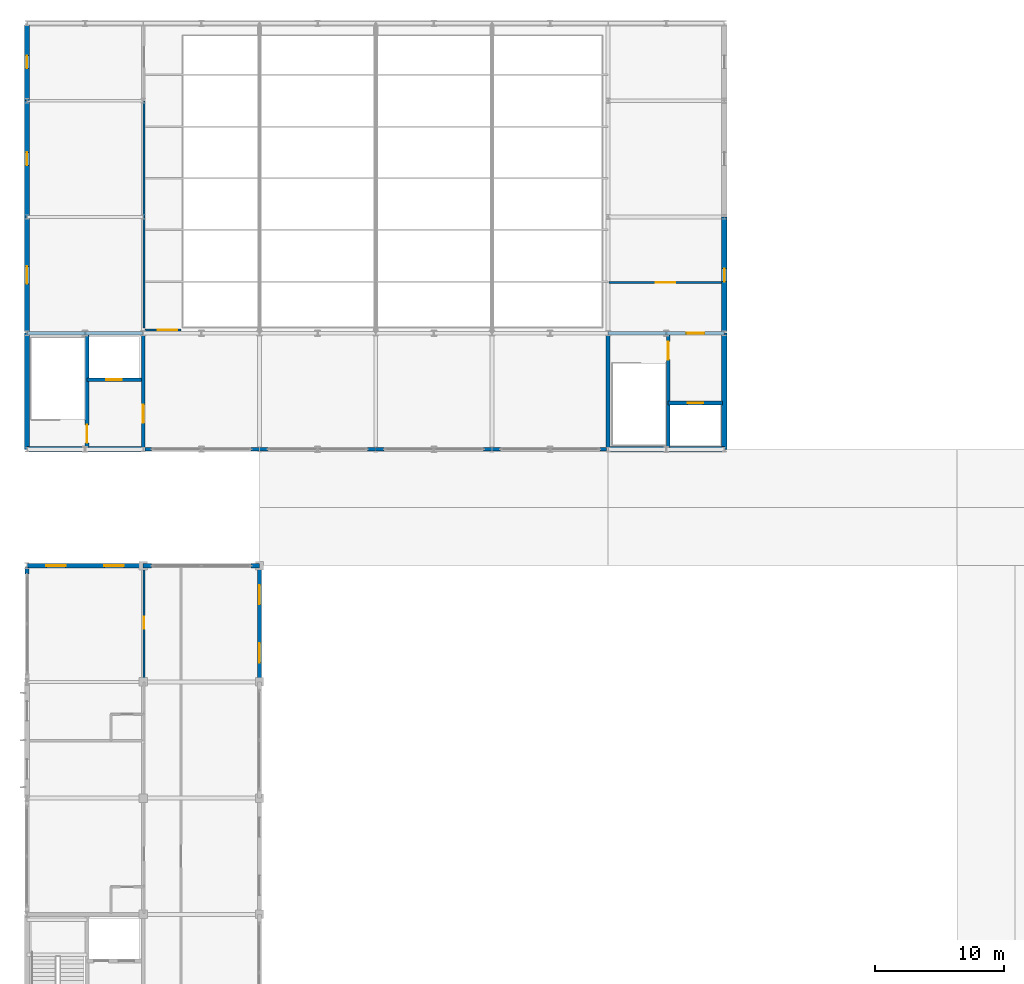
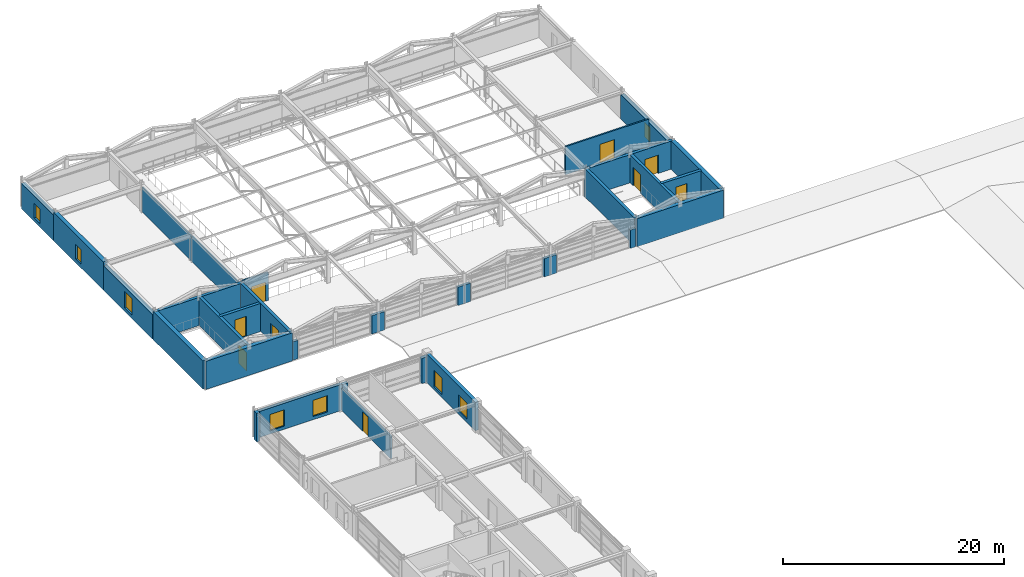
# One storey, part 76 of 91: 34 walls, 9 doors, 8 windows, 17 openings.
"""IFC4 building model written with IfcOpenShell, lengths in metres."""

from ifc_helpers import new_model, si_unit, direction, frame, frame_2d, origin, place, context, subcontext, project, spatial, rectangle, extrude, material, layer, layer_set, type_object, element, fill, save


model = new_model("IFC4")

# Units and contexts
model_context = context("Model", 3, precision=1e-05, world=origin(), true_north=direction((0.0, 1.0)))
body_context = subcontext(model_context, "Body", "Model", "MODEL_VIEW")
ifc_project = project(units=[si_unit("LENGTHUNIT", "METRE"), si_unit("AREAUNIT", "SQUARE_METRE"), si_unit("VOLUMEUNIT", "CUBIC_METRE"), si_unit("PLANEANGLEUNIT", "RADIAN"), si_unit("MASSUNIT", "GRAM", prefix="KILO")], contexts=[model_context])

# Site, building, storey
site_placement = place(None, origin())
site = spatial("IfcSite", under=ifc_project, at=site_placement, CompositionType="ELEMENT")
building_placement = place(site_placement, origin())
building = spatial("IfcBuilding", under=site, at=building_placement, Name="Palais des Congres Ocreval", CompositionType="ELEMENT")
storey_placement = place(building_placement, frame((0.0, 0.0, 8.159912109375)))
storey = spatial("IfcBuildingStorey", under=building, at=storey_placement, Name="L02", CompositionType="ELEMENT", Elevation=8.159912109375)

# Walls
ifc_material_1 = material(Name="Concrete C40/50", Category="concrete")
ifc_layer_1 = layer(ifc_material_1, 0.419921875)
ifc_layer_set_1 = layer_set([ifc_layer_1], Name="Congress Stone Facade Wall 420 Concrete C40/50")
wall_type_1 = type_object("IfcWallType", Name="Congress Stone Facade Wall 420 Concrete C40/50", PredefinedType="SOLIDWALL", material=ifc_layer_set_1)
for number, where, z_axis, x_axis, name in (
    (1, (54.0, 81.0, 0.0), (0.0, 0.0, 1.0), (-1.0, 0.0, 0.0), "Core Perimeter Shear Wall EW02 SC06 L02"),
    (2, (9.0, 81.0, 0.0), (0.0, 0.0, 1.0), (-1.0, 0.0, 0.0), "Core Perimeter Shear Wall EW02 SC05 L02"),
    (3, (0.0, 81.0, 0.0), (0.0, 0.0, 1.0), (0.0, 1.0, 0.0), "Core Perimeter Shear Wall EW02 SC05 L02"),
):
    element("IfcWall", number, at=place(storey_placement, frame(where, z_axis=z_axis, x_axis=x_axis)), inside=storey, type_object=wall_type_1, Name=name, PredefinedType="SOLIDWALL", context=body_context, shape_type="SweptSolid", body=[
        extrude(rectangle(XDim=9.0, YDim=0.419921875, at=frame_2d((4.5, 0.0))), origin(), (0.0, 0.0, 1.0), 3.110107421875),
    ])

# Wall, opening, window
wall_1_placement = place(storey_placement, frame((0.0, 90.1298828125, 0.0), z_axis=(0.0, 0.0, 1.0), x_axis=(0.0, 1.0, 0.0)))
wall_1 = element("IfcWall", 4, at=wall_1_placement, inside=storey, type_object=wall_type_1, Name="Exterior Wall EW02 L02", PredefinedType="SOLIDWALL", context=body_context, shape_type="SweptSolid", body=[
    extrude(rectangle(XDim=8.8701171875, YDim=0.419921875, at=frame_2d((4.43505859375, 0.0))), origin(), (0.0, 0.0, 1.0), 2.7001953125),
])
opening_1_placement = place(wall_1_placement, frame((3.695068359375, 0.0, 0.39990234375)))
opening_1 = element("IfcOpeningElement", 5, at=opening_1_placement, cuts=wall_1, Name="Opening WN15", PredefinedType="OPENING", context=body_context, shape_type="SweptSolid", body=[
    extrude(rectangle(XDim=1.35009765625, YDim=1.800048828125, at=frame_2d((0.675048828125, 0.89990234375))), frame((0.0, 0.219970703125, 0.0), z_axis=(0.0, -1.0, 0.0), x_axis=(1.0, 0.0, 0.0)), (0.0, 0.0, 1.0), 0.43994140625),
])
ifc_material_2 = material(Name="Anodized bronze aluminium and low-E glass", Category="glass")
window_type_1 = type_object("IfcWindowType", Name="Breakout Cloister Window 1350x1800", PartitioningType="SINGLE_PANEL", PredefinedType="WINDOW", material=ifc_material_2)
window_1_placement = place(opening_1_placement, origin())
window_1 = element("IfcWindow", 6, at=window_1_placement, inside=storey, type_object=window_type_1, Name="Facade Window WN15", OverallHeight=1.800048828125, OverallWidth=1.35009765625, PartitioningType="SINGLE_PANEL", PredefinedType="WINDOW", context=body_context, shape_type="SweptSolid", body=[
    extrude(rectangle(XDim=1.35009765625, YDim=1.800048828125, at=frame_2d((0.675048828125, 0.89990234375))), frame((0.0, 0.030029296875, 0.0), z_axis=(0.0, -1.0, 0.0), x_axis=(1.0, 0.0, 0.0)), (0.0, 0.0, 1.0), 0.06005859375),
])
fill(opening_1, window_1)

wall_2_placement = place(storey_placement, frame((0.0, 99.0, 0.0), z_axis=(0.0, 0.0, 1.0), x_axis=(0.0, 1.0, 0.0)))
wall_2 = element("IfcWall", 7, at=wall_2_placement, inside=storey, type_object=wall_type_1, Name="Exterior Wall EW02 L02", PredefinedType="SOLIDWALL", context=body_context, shape_type="SweptSolid", body=[
    extrude(rectangle(XDim=9.0, YDim=0.419921875, at=frame_2d((4.5, 0.0))), origin(), (0.0, 0.0, 1.0), 3.110107421875),
])
opening_2_placement = place(wall_2_placement, frame((4.0, 0.0, 0.39990234375)))
opening_2 = element("IfcOpeningElement", 8, at=opening_2_placement, cuts=wall_2, Name="Opening WN18", PredefinedType="OPENING", context=body_context, shape_type="SweptSolid", body=[
    extrude(rectangle(XDim=1.0, YDim=1.60009765625, at=frame_2d((0.5, 0.800048828125))), frame((0.0, 0.219970703125, 0.0), z_axis=(0.0, -1.0, 0.0), x_axis=(1.0, 0.0, 0.0)), (0.0, 0.0, 1.0), 0.43994140625),
])
window_type_2 = type_object("IfcWindowType", Name="Stair and Lobby Daylight Window 1000x1600", PartitioningType="SINGLE_PANEL", PredefinedType="WINDOW", material=ifc_material_2)
window_2_placement = place(opening_2_placement, origin())
window_2 = element("IfcWindow", 9, at=window_2_placement, inside=storey, type_object=window_type_2, Name="Facade Window WN18", OverallHeight=1.60009765625, OverallWidth=1.0, PartitioningType="SINGLE_PANEL", PredefinedType="WINDOW", context=body_context, shape_type="SweptSolid", body=[
    extrude(rectangle(XDim=1.0, YDim=1.60009765625, at=frame_2d((0.5, 0.800048828125))), frame((0.0, 0.030029296875, 0.0), z_axis=(0.0, -1.0, 0.0), x_axis=(1.0, 0.0, 0.0)), (0.0, 0.0, 1.0), 0.06005859375),
])
fill(opening_2, window_2)

wall_3_placement = place(storey_placement, frame((0.0, 108.0, 0.0), z_axis=(0.0, 0.0, 1.0), x_axis=(0.0, 1.0, 0.0)))
wall_3 = element("IfcWall", 10, at=wall_3_placement, inside=storey, type_object=wall_type_1, Name="Exterior Wall EW02 L02", PredefinedType="SOLIDWALL", context=body_context, shape_type="SweptSolid", body=[
    extrude(rectangle(XDim=5.844970703125, YDim=0.419921875, at=frame_2d((2.92236328125, 0.0))), origin(), (0.0, 0.0, 1.0), 2.800048828125),
])
opening_3_placement = place(wall_3_placement, frame((2.5, 0.0, 0.39990234375)))
opening_3 = element("IfcOpeningElement", 11, at=opening_3_placement, cuts=wall_3, Name="Opening WN18", PredefinedType="OPENING", context=body_context, shape_type="SweptSolid", body=[
    extrude(rectangle(XDim=1.0, YDim=1.60009765625, at=frame_2d((0.5, 0.800048828125))), frame((0.0, 0.219970703125, 0.0), z_axis=(0.0, -1.0, 0.0), x_axis=(1.0, 0.0, 0.0)), (0.0, 0.0, 1.0), 0.43994140625),
])
window_3_placement = place(opening_3_placement, origin())
window_3 = element("IfcWindow", 12, at=window_3_placement, inside=storey, type_object=window_type_2, Name="Facade Window WN18", OverallHeight=1.60009765625, OverallWidth=1.0, PartitioningType="SINGLE_PANEL", PredefinedType="WINDOW", context=body_context, shape_type="SweptSolid", body=[
    extrude(rectangle(XDim=1.0, YDim=1.60009765625, at=frame_2d((0.5, 0.800048828125))), frame((0.0, 0.030029296875, 0.0), z_axis=(0.0, -1.0, 0.0), x_axis=(1.0, 0.0, 0.0)), (0.0, 0.0, 1.0), 0.06005859375),
])
fill(opening_3, window_3)

wall_4_placement = place(storey_placement, frame((54.0, 99.0, 0.0), z_axis=(0.0, 0.0, 1.0), x_axis=(0.0, -1.0, 0.0)))
wall_4 = element("IfcWall", 13, at=wall_4_placement, inside=storey, type_object=wall_type_1, Name="Exterior Wall EW02 L02", PredefinedType="SOLIDWALL", context=body_context, shape_type="SweptSolid", body=[
    extrude(rectangle(XDim=8.8701171875, YDim=0.419921875, at=frame_2d((4.43505859375, 0.0))), origin(), (0.0, 0.0, 1.0), 2.7001953125),
])
opening_4_placement = place(wall_4_placement, frame((4.0, 0.0, 0.39990234375)))
opening_4 = element("IfcOpeningElement", 14, at=opening_4_placement, cuts=wall_4, Name="Opening WN18", PredefinedType="OPENING", context=body_context, shape_type="SweptSolid", body=[
    extrude(rectangle(XDim=1.0, YDim=1.60009765625, at=frame_2d((0.5, 0.800048828125))), frame((0.0, 0.219970703125, 0.0), z_axis=(0.0, -1.0, 0.0), x_axis=(1.0, 0.0, 0.0)), (0.0, 0.0, 1.0), 0.43994140625),
])
window_4_placement = place(opening_4_placement, origin())
window_4 = element("IfcWindow", 15, at=window_4_placement, inside=storey, type_object=window_type_2, Name="Facade Window WN18", OverallHeight=1.60009765625, OverallWidth=1.0, PartitioningType="SINGLE_PANEL", PredefinedType="WINDOW", context=body_context, shape_type="SweptSolid", body=[
    extrude(rectangle(XDim=1.0, YDim=1.60009765625, at=frame_2d((0.5, 0.800048828125))), frame((0.0, 0.030029296875, 0.0), z_axis=(0.0, -1.0, 0.0), x_axis=(1.0, 0.0, 0.0)), (0.0, 0.0, 1.0), 0.06005859375),
])
fill(opening_4, window_4)

# Wall
wall_5_placement = place(storey_placement, frame((54.0, 90.0, 0.0), z_axis=(0.0, 0.0, 1.0), x_axis=(0.0, -1.0, 0.0)))
element("IfcWall", 16, at=wall_5_placement, inside=storey, type_object=wall_type_1, Name="Core Perimeter Shear Wall EW02 SC06 L02", PredefinedType="SOLIDWALL", context=body_context, shape_type="SweptSolid", body=[
    extrude(rectangle(XDim=9.0, YDim=0.419921875, at=frame_2d((4.5, 0.0))), origin(), (0.0, 0.0, 1.0), 3.110107421875),
])

# Wall, opening, door
ifc_layer_2 = layer(ifc_material_1, 0.300048828125)
ifc_layer_set_2 = layer_set([ifc_layer_2], Name="Core Shear Wall 300 Concrete C40/50")
wall_type_2 = type_object("IfcWallType", Name="Core Shear Wall 300 Concrete C40/50", PredefinedType="SHEAR", material=ifc_layer_set_2)
wall_6_placement = place(storey_placement, frame((9.0, 81.0, 0.0), z_axis=(0.0, 0.0, 1.0), x_axis=(0.0, 1.0, 0.0)))
wall_6 = element("IfcWall", 17, at=wall_6_placement, inside=storey, type_object=wall_type_2, Name="Core Shear Wall SC05 L02 E", PredefinedType="SHEAR", context=body_context, shape_type="SweptSolid", body=[
    extrude(rectangle(XDim=9.0, YDim=0.300048828125, at=frame_2d((4.5, 0.0))), origin(), (0.0, 0.0, 1.0), 3.110107421875),
])
opening_5_placement = place(wall_6_placement, frame((2.050048828125, 0.0, 0.0)))
opening_5 = element("IfcOpeningElement", 18, at=opening_5_placement, cuts=wall_6, Name="Opening D03", PredefinedType="OPENING", context=body_context, shape_type="SweptSolid", body=[
    extrude(rectangle(XDim=1.39990234375, YDim=2.02001953125, at=frame_2d((0.699951171875, 1.010009765625))), frame((0.0, 0.159912109375, 0.0), z_axis=(0.0, -1.0, 0.0), x_axis=(1.0, 0.0, 0.0)), (0.0, 0.0, 1.0), 0.320068359375),
])
ifc_material_3 = material(Name="Painted fire-rated steel", Category="steel")
door_type_1 = type_object("IfcDoorType", Name="Core Lobby Rated Door 1400x2020", OperationType="NOTDEFINED", PredefinedType="DOOR", material=ifc_material_3)
door_1_placement = place(opening_5_placement, origin())
door_1 = element("IfcDoor", 19, at=door_1_placement, inside=storey, type_object=door_type_1, Name="Lobby Entrance Door SC05 L02", OperationType="DOUBLE_DOOR_SINGLE_SWING", OverallHeight=2.02001953125, OverallWidth=1.39990234375, PredefinedType="DOOR", context=body_context, shape_type="SweptSolid", body=[
    extrude(rectangle(XDim=1.39990234375, YDim=2.02001953125, at=frame_2d((0.699951171875, 1.010009765625))), frame((0.0, 0.02490234375, 0.0), z_axis=(0.0, -1.0, 0.0), x_axis=(1.0, 0.0, 0.0)), (0.0, 0.0, 1.0), 0.050048828125),
])
fill(opening_5, door_1)

# Wall
wall_7_placement = place(storey_placement, frame((0.0, 90.0, 0.0), z_axis=(0.0, 0.0, 1.0), x_axis=(1.0, 0.0, 0.0)))
element("IfcWall", 20, at=wall_7_placement, inside=storey, type_object=wall_type_2, Name="Core Shear Wall SC05 L02 N", PredefinedType="SHEAR", context=body_context, shape_type="SweptSolid", body=[
    extrude(rectangle(XDim=9.0, YDim=0.300048828125, at=frame_2d((4.5, 0.0))), origin(), (0.0, 0.0, 1.0), 3.110107421875),
])

# Wall, opening, door
wall_8_placement = place(storey_placement, frame((4.64990234375, 81.14990234375, 0.0), z_axis=(0.0, 0.0, 1.0), x_axis=(0.0, 1.0, 0.0)))
wall_8 = element("IfcWall", 21, at=wall_8_placement, inside=storey, type_object=wall_type_2, Name="Core Spine Shear Wall SC05 L02", PredefinedType="SHEAR", context=body_context, shape_type="SweptSolid", body=[
    extrude(rectangle(XDim=8.7001953125, YDim=0.300048828125, at=frame_2d((4.35009765625, 0.0))), origin(), (0.0, 0.0, 1.0), 3.110107421875),
])
opening_6_placement = place(wall_8_placement, frame((0.35009765625, 0.0, 0.0)))
opening_6 = element("IfcOpeningElement", 22, at=opening_6_placement, cuts=wall_8, Name="Opening D03", PredefinedType="OPENING", context=body_context, shape_type="SweptSolid", body=[
    extrude(rectangle(XDim=1.39990234375, YDim=2.02001953125, at=frame_2d((0.699951171875, 1.010009765625))), frame((0.0, 0.159912109375, 0.0), z_axis=(0.0, -1.0, 0.0), x_axis=(1.0, 0.0, 0.0)), (0.0, 0.0, 1.0), 0.320068359375),
])
door_2_placement = place(opening_6_placement, origin())
door_2 = element("IfcDoor", 23, at=door_2_placement, inside=storey, type_object=door_type_1, Name="Protected Exit Stair Door ST05 L02", OperationType="SINGLE_SWING_LEFT", OverallHeight=2.02001953125, OverallWidth=1.39990234375, PredefinedType="DOOR", context=body_context, shape_type="SweptSolid", body=[
    extrude(rectangle(XDim=1.39990234375, YDim=2.02001953125, at=frame_2d((0.699951171875, 1.010009765625))), frame((0.0, 0.02490234375, 0.0), z_axis=(0.0, -1.0, 0.0), x_axis=(1.0, 0.0, 0.0)), (0.0, 0.0, 1.0), 0.050048828125),
])
fill(opening_6, door_2)

wall_9_placement = place(storey_placement, frame((4.64990234375, 86.39990234375, 0.0), z_axis=(0.0, 0.0, 1.0), x_axis=(1.0, 0.0, 0.0)))
wall_9 = element("IfcWall", 24, at=wall_9_placement, inside=storey, type_object=wall_type_2, Name="Lift Shaft Front Wall SC05 L02", PredefinedType="SHEAR", context=body_context, shape_type="SweptSolid", body=[
    extrude(rectangle(XDim=4.2001953125, YDim=0.300048828125, at=frame_2d((2.10009765625, 0.0))), origin(), (0.0, 0.0, 1.0), 3.110107421875),
])
opening_7_placement = place(wall_9_placement, frame((1.5, 0.0, 0.0)))
opening_7 = element("IfcOpeningElement", 25, at=opening_7_placement, cuts=wall_9, Name="Opening LD02", PredefinedType="OPENING", context=body_context, shape_type="SweptSolid", body=[
    extrude(rectangle(XDim=1.199951171875, YDim=2.199951171875, at=frame_2d((0.60009765625, 1.10009765625))), frame((0.0, 0.159912109375, 0.0), z_axis=(0.0, -1.0, 0.0), x_axis=(1.0, 0.0, 0.0)), (0.0, 0.0, 1.0), 0.320068359375),
])
ifc_material_4 = material(Name="Anodized bronze steel", Category="steel")
door_type_2 = type_object("IfcDoorType", Name="Passenger and Service Lift Sliding Door 1200x2200", OperationType="NOTDEFINED", PredefinedType="DOOR", material=ifc_material_4)
door_3_placement = place(opening_7_placement, origin())
door_3 = element("IfcDoor", 26, at=door_3_placement, inside=storey, type_object=door_type_2, Name="Lift Landing Sliding Door CL1 L02", OperationType="DOUBLE_DOOR_SLIDING", OverallHeight=2.199951171875, OverallWidth=1.199951171875, PredefinedType="DOOR", context=body_context, shape_type="SweptSolid", body=[
    extrude(rectangle(XDim=1.199951171875, YDim=2.199951171875, at=frame_2d((0.60009765625, 1.10009765625))), frame((0.0, 0.02490234375, 0.0), z_axis=(0.0, -1.0, 0.0), x_axis=(1.0, 0.0, 0.0)), (0.0, 0.0, 1.0), 0.050048828125),
])
fill(opening_7, door_3)

wall_10_placement = place(storey_placement, frame((45.0, 90.0, 0.0), z_axis=(0.0, 0.0, 1.0), x_axis=(1.0, 0.0, 0.0)))
wall_10 = element("IfcWall", 27, at=wall_10_placement, inside=storey, type_object=wall_type_2, Name="Core Shear Wall SC06 L02 N", PredefinedType="SHEAR", context=body_context, shape_type="SweptSolid", body=[
    extrude(rectangle(XDim=9.0, YDim=0.300048828125, at=frame_2d((4.5, 0.0))), origin(), (0.0, 0.0, 1.0), 3.110107421875),
])
opening_8_placement = place(wall_10_placement, frame((6.050048828125, 0.0, 0.0)))
opening_8 = element("IfcOpeningElement", 28, at=opening_8_placement, cuts=wall_10, Name="Opening D03", PredefinedType="OPENING", context=body_context, shape_type="SweptSolid", body=[
    extrude(rectangle(XDim=1.39990234375, YDim=2.02001953125, at=frame_2d((0.699951171875, 1.010009765625))), frame((0.0, 0.159912109375, 0.0), z_axis=(0.0, -1.0, 0.0), x_axis=(1.0, 0.0, 0.0)), (0.0, 0.0, 1.0), 0.320068359375),
])
door_4_placement = place(opening_8_placement, origin())
door_4 = element("IfcDoor", 29, at=door_4_placement, inside=storey, type_object=door_type_1, Name="Lobby Entrance Door SC06 L02", OperationType="DOUBLE_DOOR_SINGLE_SWING", OverallHeight=2.02001953125, OverallWidth=1.39990234375, PredefinedType="DOOR", context=body_context, shape_type="SweptSolid", body=[
    extrude(rectangle(XDim=1.39990234375, YDim=2.02001953125, at=frame_2d((0.699951171875, 1.010009765625))), frame((0.0, 0.02490234375, 0.0), z_axis=(0.0, -1.0, 0.0), x_axis=(1.0, 0.0, 0.0)), (0.0, 0.0, 1.0), 0.050048828125),
])
fill(opening_8, door_4)

# Wall
wall_11_placement = place(storey_placement, frame((45.0, 81.0, 0.0), z_axis=(0.0, 0.0, 1.0), x_axis=(0.0, 1.0, 0.0)))
element("IfcWall", 30, at=wall_11_placement, inside=storey, type_object=wall_type_2, Name="Core Shear Wall SC06 L02 W", PredefinedType="SHEAR", context=body_context, shape_type="SweptSolid", body=[
    extrude(rectangle(XDim=9.0, YDim=0.300048828125, at=frame_2d((4.5, 0.0))), origin(), (0.0, 0.0, 1.0), 3.110107421875),
])

# Wall, opening, door
wall_12_placement = place(storey_placement, frame((49.64990234375, 81.14990234375, 0.0), z_axis=(0.0, 0.0, 1.0), x_axis=(0.0, 1.0, 0.0)))
wall_12 = element("IfcWall", 31, at=wall_12_placement, inside=storey, type_object=wall_type_2, Name="Core Spine Shear Wall SC06 L02", PredefinedType="SHEAR", context=body_context, shape_type="SweptSolid", body=[
    extrude(rectangle(XDim=8.7001953125, YDim=0.300048828125, at=frame_2d((4.35009765625, 0.0))), origin(), (0.0, 0.0, 1.0), 3.110107421875),
])
opening_9_placement = place(wall_12_placement, frame((6.800048828125, 0.0, 0.0)))
opening_9 = element("IfcOpeningElement", 32, at=opening_9_placement, cuts=wall_12, Name="Opening D03", PredefinedType="OPENING", context=body_context, shape_type="SweptSolid", body=[
    extrude(rectangle(XDim=1.39990234375, YDim=2.02001953125, at=frame_2d((0.699951171875, 1.010009765625))), frame((0.0, 0.159912109375, 0.0), z_axis=(0.0, -1.0, 0.0), x_axis=(1.0, 0.0, 0.0)), (0.0, 0.0, 1.0), 0.320068359375),
])
door_5_placement = place(opening_9_placement, origin())
door_5 = element("IfcDoor", 33, at=door_5_placement, inside=storey, type_object=door_type_1, Name="Protected Exit Stair Door ST06 L02", OperationType="SINGLE_SWING_RIGHT", OverallHeight=2.02001953125, OverallWidth=1.39990234375, PredefinedType="DOOR", context=body_context, shape_type="SweptSolid", body=[
    extrude(rectangle(XDim=1.39990234375, YDim=2.02001953125, at=frame_2d((0.699951171875, 1.010009765625))), frame((0.0, 0.02490234375, 0.0), z_axis=(0.0, -1.0, 0.0), x_axis=(1.0, 0.0, 0.0)), (0.0, 0.0, 1.0), 0.050048828125),
])
fill(opening_9, door_5)

wall_13_placement = place(storey_placement, frame((49.64990234375, 84.60009765625, 0.0), z_axis=(0.0, 0.0, 1.0), x_axis=(1.0, 0.0, 0.0)))
wall_13 = element("IfcWall", 34, at=wall_13_placement, inside=storey, type_object=wall_type_2, Name="Lift Shaft Front Wall SC06 L02", PredefinedType="SHEAR", context=body_context, shape_type="SweptSolid", body=[
    extrude(rectangle(XDim=4.2001953125, YDim=0.300048828125, at=frame_2d((2.10009765625, 0.0))), origin(), (0.0, 0.0, 1.0), 3.110107421875),
])
opening_10_placement = place(wall_13_placement, frame((1.5, 0.0, 0.0)))
opening_10 = element("IfcOpeningElement", 35, at=opening_10_placement, cuts=wall_13, Name="Opening LD02", PredefinedType="OPENING", context=body_context, shape_type="SweptSolid", body=[
    extrude(rectangle(XDim=1.199951171875, YDim=2.199951171875, at=frame_2d((0.60009765625, 1.10009765625))), frame((0.0, 0.159912109375, 0.0), z_axis=(0.0, -1.0, 0.0), x_axis=(1.0, 0.0, 0.0)), (0.0, 0.0, 1.0), 0.320068359375),
])
door_6_placement = place(opening_10_placement, origin())
door_6 = element("IfcDoor", 36, at=door_6_placement, inside=storey, type_object=door_type_2, Name="Lift Landing Sliding Door BL2 L02", OperationType="DOUBLE_DOOR_SLIDING", OverallHeight=2.199951171875, OverallWidth=1.199951171875, PredefinedType="DOOR", context=body_context, shape_type="SweptSolid", body=[
    extrude(rectangle(XDim=1.199951171875, YDim=2.199951171875, at=frame_2d((0.60009765625, 1.10009765625))), frame((0.0, 0.02490234375, 0.0), z_axis=(0.0, -1.0, 0.0), x_axis=(1.0, 0.0, 0.0)), (0.0, 0.0, 1.0), 0.050048828125),
])
fill(opening_10, door_6)

ifc_material_5 = material(Name="Gypsum acoustic partition")
ifc_layer_3 = layer(ifc_material_5, 0.159912109375)
ifc_layer_set_3 = layer_set([ifc_layer_3], Name="Corridor Fire Partition 160 Gypsum (Gypsum acoustic partition)")
wall_type_3 = type_object("IfcWallType", Name="Corridor Fire Partition 160 Gypsum", PredefinedType="PARTITIONING", material=ifc_layer_set_3)
wall_14_placement = place(storey_placement, frame((9.155029296875, 90.235107421875, 0.0), z_axis=(0.0, 0.0, 1.0), x_axis=(1.0, 0.0, 0.0)))
wall_14 = element("IfcWall", 37, at=wall_14_placement, inside=storey, type_object=wall_type_3, Name="Interior Partition IW03 L02", PredefinedType="PARTITIONING", context=body_context, shape_type="SweptSolid", body=[
    extrude(rectangle(XDim=2.77490234375, YDim=0.159912109375, at=frame_2d((1.387451171875, 0.0))), origin(), (0.0, 0.0, 1.0), 3.110107421875),
])
opening_11_placement = place(wall_14_placement, frame((0.970458984375, 0.0, 0.0)))
opening_11 = element("IfcOpeningElement", 38, at=opening_11_placement, cuts=wall_14, Name="Opening D04", PredefinedType="OPENING", context=body_context, shape_type="SweptSolid", body=[
    extrude(rectangle(XDim=1.5, YDim=2.10009765625, at=frame_2d((0.75, 1.050048828125))), frame((0.0, 0.08984375, 0.0), z_axis=(0.0, -1.0, 0.0), x_axis=(1.0, 0.0, 0.0)), (0.0, 0.0, 1.0), 0.179931640625),
])
ifc_material_6 = material(Name="Solid French oak fire door", Category="wood")
door_type_3 = type_object("IfcDoorType", Name="Corridor Compartment Double Door 1500x2100", OperationType="NOTDEFINED", PredefinedType="DOOR", material=ifc_material_6)
door_7_placement = place(opening_11_placement, origin())
door_7 = element("IfcDoor", 39, at=door_7_placement, inside=storey, type_object=door_type_3, Name="Interior Door D04 L02", OperationType="DOUBLE_DOOR_SINGLE_SWING", OverallHeight=2.10009765625, OverallWidth=1.5, PredefinedType="DOOR", context=body_context, shape_type="SweptSolid", body=[
    extrude(rectangle(XDim=1.5, YDim=2.10009765625, at=frame_2d((0.75, 1.050048828125))), frame((0.0, 0.02490234375, 0.0), z_axis=(0.0, -1.0, 0.0), x_axis=(1.0, 0.0, 0.0)), (0.0, 0.0, 1.0), 0.050048828125),
])
fill(opening_11, door_7)

# Wall
wall_15_placement = place(storey_placement, frame((9.06494140625, 90.389892578125, 0.0), z_axis=(0.0, 0.0, 1.0), x_axis=(0.0, 1.0, 0.0)))
element("IfcWall", 40, at=wall_15_placement, inside=storey, type_object=wall_type_3, Name="Interior Partition IW03 L02", PredefinedType="PARTITIONING", context=body_context, shape_type="SweptSolid", body=[
    extrude(rectangle(XDim=8.590087890625, YDim=0.159912109375, at=frame_2d((4.294921875, 0.0))), origin(), (0.0, 0.0, 1.0), 2.77001953125),
])

# Wall, opening, door
wall_16_placement = place(storey_placement, frame((45.070068359375, 93.93505859375, 0.0), z_axis=(0.0, 0.0, 1.0), x_axis=(1.0, 0.0, 0.0)))
wall_16 = element("IfcWall", 41, at=wall_16_placement, inside=storey, type_object=wall_type_3, Name="Interior Partition IW03 L02", PredefinedType="PARTITIONING", context=body_context, shape_type="SweptSolid", body=[
    extrude(rectangle(XDim=8.71484375, YDim=0.159912109375, at=frame_2d((4.357421875, 0.0))), origin(), (0.0, 0.0, 1.0), 3.110107421875),
])
opening_12_placement = place(wall_16_placement, frame((3.607421875, 0.0, 0.0)))
opening_12 = element("IfcOpeningElement", 42, at=opening_12_placement, cuts=wall_16, Name="Opening D04", PredefinedType="OPENING", context=body_context, shape_type="SweptSolid", body=[
    extrude(rectangle(XDim=1.5, YDim=2.10009765625, at=frame_2d((0.75, 1.050048828125))), frame((0.0, 0.08984375, 0.0), z_axis=(0.0, -1.0, 0.0), x_axis=(1.0, 0.0, 0.0)), (0.0, 0.0, 1.0), 0.179931640625),
])
door_8_placement = place(opening_12_placement, origin())
door_8 = element("IfcDoor", 43, at=door_8_placement, inside=storey, type_object=door_type_3, Name="Interior Door D04 L02", OperationType="DOUBLE_DOOR_SINGLE_SWING", OverallHeight=2.10009765625, OverallWidth=1.5, PredefinedType="DOOR", context=body_context, shape_type="SweptSolid", body=[
    extrude(rectangle(XDim=1.5, YDim=2.10009765625, at=frame_2d((0.75, 1.050048828125))), frame((0.0, 0.02490234375, 0.0), z_axis=(0.0, -1.0, 0.0), x_axis=(1.0, 0.0, 0.0)), (0.0, 0.0, 1.0), 0.050048828125),
])
fill(opening_12, door_8)

wall_17_placement = place(storey_placement, frame((9.06494140625, 62.97998046875, 0.0), z_axis=(0.0, 0.0, 1.0), x_axis=(0.0, 1.0, 0.0)))
wall_17 = element("IfcWall", 44, at=wall_17_placement, inside=storey, type_object=wall_type_3, Name="Interior Partition IW03 L02", PredefinedType="PARTITIONING", context=body_context, shape_type="SweptSolid", body=[
    extrude(rectangle(XDim=8.844970703125, YDim=0.159912109375, at=frame_2d((4.42236328125, 0.0))), origin(), (0.0, 0.0, 1.0), 2.510009765625),
])
opening_13_placement = place(wall_17_placement, frame((4.12548828125, 0.0, 0.0)))
opening_13 = element("IfcOpeningElement", 45, at=opening_13_placement, cuts=wall_17, Name="Opening D05", PredefinedType="OPENING", context=body_context, shape_type="SweptSolid", body=[
    extrude(rectangle(XDim=0.949951171875, YDim=2.14990234375, at=frame_2d((0.47509765625, 1.074951171875))), frame((0.0, 0.08984375, 0.0), z_axis=(0.0, -1.0, 0.0), x_axis=(1.0, 0.0, 0.0)), (0.0, 0.0, 1.0), 0.179931640625),
])
ifc_material_7 = material(Name="Solid French oak", Category="wood")
door_type_4 = type_object("IfcDoorType", Name="Hotel Guestroom Entrance Door 950x2150", OperationType="NOTDEFINED", PredefinedType="DOOR", material=ifc_material_7)
door_9_placement = place(opening_13_placement, origin())
door_9 = element("IfcDoor", 46, at=door_9_placement, inside=storey, type_object=door_type_4, Name="Interior Door D05 L02", OperationType="SINGLE_SWING_LEFT", OverallHeight=2.14990234375, OverallWidth=0.949951171875, PredefinedType="DOOR", context=body_context, shape_type="SweptSolid", body=[
    extrude(rectangle(XDim=0.949951171875, YDim=2.14990234375, at=frame_2d((0.47509765625, 1.074951171875))), frame((0.0, 0.02490234375, 0.0), z_axis=(0.0, -1.0, 0.0), x_axis=(1.0, 0.0, 0.0)), (0.0, 0.0, 1.0), 0.050048828125),
])
fill(opening_13, door_9)

# Walls
wall_18_placement = place(storey_placement, frame((9.06494140625, 98.97998046875, 0.0), z_axis=(0.0, 0.0, 1.0), x_axis=(0.0, 1.0, 0.0)))
element("IfcWall", 47, at=wall_18_placement, inside=storey, type_object=wall_type_3, Name="Interior Partition IW03 L02", PredefinedType="PARTITIONING", context=body_context, shape_type="SweptSolid", body=[
    extrude(rectangle(XDim=9.0, YDim=0.159912109375, at=frame_2d((4.5, 0.0))), origin(), (0.0, 0.0, 1.0), 2.710205078125),
])
ifc_layer_4 = layer(ifc_material_1, 0.340087890625)
ifc_layer_set_4 = layer_set([ifc_layer_4], Name="Ochre Mineral-Lime Courtyard Wall 340 Concrete C40/50")
wall_type_4 = type_object("IfcWallType", Name="Ochre Mineral-Lime Courtyard Wall 340 Concrete C40/50", PredefinedType="SOLIDWALL", material=ifc_layer_set_4)
wall_19_placement = place(storey_placement, frame((0.0, 71.35009765625, 0.0), z_axis=(0.0, 0.0, 1.0), x_axis=(0.0, 1.0, 0.0)))
element("IfcWall", 48, at=wall_19_placement, inside=storey, type_object=wall_type_4, Name="Facade Pier EW04 L02", PredefinedType="SOLIDWALL", context=body_context, shape_type="SweptSolid", body=[
    extrude(rectangle(XDim=0.494873046875, YDim=0.340087890625, at=frame_2d((0.24755859375, 0.0))), origin(), (0.0, 0.0, 1.0), 3.14013671875),
])

# Wall, openings, windows
wall_20_placement = place(storey_placement, frame((0.0, 72.0, 0.0), z_axis=(0.0, 0.0, 1.0), x_axis=(1.0, 0.0, 0.0)))
wall_20 = element("IfcWall", 49, at=wall_20_placement, inside=storey, type_object=wall_type_4, Name="Exterior Wall EW04 L02", PredefinedType="SOLIDWALL", context=body_context, shape_type="SweptSolid", body=[
    extrude(rectangle(XDim=9.0, YDim=0.340087890625, at=frame_2d((4.5, 0.0))), origin(), (0.0, 0.0, 1.0), 2.8701171875),
])
opening_14_placement = place(wall_20_placement, frame((1.5, 0.0, 0.35009765625)))
opening_14 = element("IfcOpeningElement", 50, at=opening_14_placement, cuts=wall_20, Name="Opening WN06", PredefinedType="OPENING", context=body_context, shape_type="SweptSolid", body=[
    extrude(rectangle(XDim=1.5, YDim=1.800048828125, at=frame_2d((0.75, 0.89990234375))), frame((0.0, 0.179931640625, 0.0), z_axis=(0.0, -1.0, 0.0), x_axis=(1.0, 0.0, 0.0)), (0.0, 0.0, 1.0), 0.360107421875),
])
opening_15_placement = place(wall_20_placement, frame((6.0, 0.0, 0.35009765625)))
opening_15 = element("IfcOpeningElement", 51, at=opening_15_placement, cuts=wall_20, Name="Opening WN06", PredefinedType="OPENING", context=body_context, shape_type="SweptSolid", body=[
    extrude(rectangle(XDim=1.5, YDim=1.800048828125, at=frame_2d((0.75, 0.89990234375))), frame((0.0, 0.179931640625, 0.0), z_axis=(0.0, -1.0, 0.0), x_axis=(1.0, 0.0, 0.0)), (0.0, 0.0, 1.0), 0.360107421875),
])
window_type_3 = type_object("IfcWindowType", Name="Upper Setback Window 1500x1800", PartitioningType="SINGLE_PANEL", PredefinedType="WINDOW", material=ifc_material_2)
window_5_placement = place(opening_14_placement, origin())
window_5 = element("IfcWindow", 52, at=window_5_placement, inside=storey, type_object=window_type_3, Name="Hotel Facade Window WN06", OverallHeight=1.800048828125, OverallWidth=1.5, PartitioningType="SINGLE_PANEL", PredefinedType="WINDOW", context=body_context, shape_type="SweptSolid", body=[
    extrude(rectangle(XDim=1.5, YDim=1.800048828125, at=frame_2d((0.75, 0.89990234375))), frame((0.0, 0.030029296875, 0.0), z_axis=(0.0, -1.0, 0.0), x_axis=(1.0, 0.0, 0.0)), (0.0, 0.0, 1.0), 0.06005859375),
])
fill(opening_14, window_5)
window_6_placement = place(opening_15_placement, origin())
window_6 = element("IfcWindow", 53, at=window_6_placement, inside=storey, type_object=window_type_3, Name="Hotel Facade Window WN06", OverallHeight=1.800048828125, OverallWidth=1.5, PartitioningType="SINGLE_PANEL", PredefinedType="WINDOW", context=body_context, shape_type="SweptSolid", body=[
    extrude(rectangle(XDim=1.5, YDim=1.800048828125, at=frame_2d((0.75, 0.89990234375))), frame((0.0, 0.030029296875, 0.0), z_axis=(0.0, -1.0, 0.0), x_axis=(1.0, 0.0, 0.0)), (0.0, 0.0, 1.0), 0.06005859375),
])
fill(opening_15, window_6)

# Walls
for number, where, z_axis, x_axis, name in (
    (54, (9.0, 72.0, 0.0), (0.0, 0.0, 1.0), (1.0, 0.0, 0.0), "Facade Pier EW04 L02"),
    (55, (17.35009765625, 72.0, 0.0), (0.0, 0.0, 1.0), (1.0, 0.0, 0.0), "Facade Pier EW04 L02"),
):
    element("IfcWall", number, at=place(storey_placement, frame(where, z_axis=z_axis, x_axis=x_axis)), inside=storey, type_object=wall_type_4, Name=name, PredefinedType="SOLIDWALL", context=body_context, shape_type="SweptSolid", body=[
        extrude(rectangle(XDim=0.64990234375, YDim=0.340087890625, at=frame_2d((0.324951171875, 0.0))), origin(), (0.0, 0.0, 1.0), 2.800048828125),
    ])

# Wall, openings, windows
wall_21_placement = place(storey_placement, frame((18.0, 71.844970703125, 0.0), z_axis=(0.0, 0.0, 1.0), x_axis=(0.0, -1.0, 0.0)))
wall_21 = element("IfcWall", 56, at=wall_21_placement, inside=storey, type_object=wall_type_4, Name="Exterior Wall EW04 L02", PredefinedType="SOLIDWALL", context=body_context, shape_type="SweptSolid", body=[
    extrude(rectangle(XDim=8.844970703125, YDim=0.340087890625, at=frame_2d((4.42236328125, 0.0))), origin(), (0.0, 0.0, 1.0), 3.14013671875),
])
opening_16_placement = place(wall_21_placement, frame((1.344970703125, 0.0, 0.35009765625)))
opening_16 = element("IfcOpeningElement", 57, at=opening_16_placement, cuts=wall_21, Name="Opening WN06", PredefinedType="OPENING", context=body_context, shape_type="SweptSolid", body=[
    extrude(rectangle(XDim=1.5, YDim=1.800048828125, at=frame_2d((0.75, 0.89990234375))), frame((0.0, 0.179931640625, 0.0), z_axis=(0.0, -1.0, 0.0), x_axis=(1.0, 0.0, 0.0)), (0.0, 0.0, 1.0), 0.360107421875),
])
opening_17_placement = place(wall_21_placement, frame((5.844970703125, 0.0, 0.35009765625)))
opening_17 = element("IfcOpeningElement", 58, at=opening_17_placement, cuts=wall_21, Name="Opening WN06", PredefinedType="OPENING", context=body_context, shape_type="SweptSolid", body=[
    extrude(rectangle(XDim=1.5, YDim=1.800048828125, at=frame_2d((0.75, 0.89990234375))), frame((0.0, 0.179931640625, 0.0), z_axis=(0.0, -1.0, 0.0), x_axis=(1.0, 0.0, 0.0)), (0.0, 0.0, 1.0), 0.360107421875),
])
window_7_placement = place(opening_16_placement, origin())
window_7 = element("IfcWindow", 59, at=window_7_placement, inside=storey, type_object=window_type_3, Name="Hotel Facade Window WN06", OverallHeight=1.800048828125, OverallWidth=1.5, PartitioningType="SINGLE_PANEL", PredefinedType="WINDOW", context=body_context, shape_type="SweptSolid", body=[
    extrude(rectangle(XDim=1.5, YDim=1.800048828125, at=frame_2d((0.75, 0.89990234375))), frame((0.0, 0.030029296875, 0.0), z_axis=(0.0, -1.0, 0.0), x_axis=(1.0, 0.0, 0.0)), (0.0, 0.0, 1.0), 0.06005859375),
])
fill(opening_16, window_7)
window_8_placement = place(opening_17_placement, origin())
window_8 = element("IfcWindow", 60, at=window_8_placement, inside=storey, type_object=window_type_3, Name="Hotel Facade Window WN06", OverallHeight=1.800048828125, OverallWidth=1.5, PartitioningType="SINGLE_PANEL", PredefinedType="WINDOW", context=body_context, shape_type="SweptSolid", body=[
    extrude(rectangle(XDim=1.5, YDim=1.800048828125, at=frame_2d((0.75, 0.89990234375))), frame((0.0, 0.030029296875, 0.0), z_axis=(0.0, -1.0, 0.0), x_axis=(1.0, 0.0, 0.0)), (0.0, 0.0, 1.0), 0.06005859375),
])
fill(opening_17, window_8)

# Walls
ifc_layer_5 = layer(ifc_material_1, 0.280029296875)
ifc_layer_set_5 = layer_set([ifc_layer_5], Name="Terracotta Mineral-Lime Facade Wall 280 Concrete C40/50")
wall_type_5 = type_object("IfcWallType", Name="Terracotta Mineral-Lime Facade Wall 280 Concrete C40/50", PredefinedType="SOLIDWALL", material=ifc_layer_set_5)
wall_22_placement = place(storey_placement, frame((44.8701171875, 81.0, 0.0), z_axis=(0.0, 0.0, 1.0), x_axis=(-1.0, 0.0, 0.0)))
element("IfcWall", 61, at=wall_22_placement, inside=storey, type_object=wall_type_5, Name="Facade Pier EW05 L02", PredefinedType="SOLIDWALL", context=body_context, shape_type="SweptSolid", body=[
    extrude(rectangle(XDim=0.52001953125, YDim=0.280029296875, at=frame_2d((0.260009765625, 0.0))), origin(), (0.0, 0.0, 1.0), 2.03515625),
])
for number, where, z_axis, x_axis, name in (
    (62, (36.64990234375, 81.0, 0.0), (0.0, 0.0, 1.0), (-1.0, 0.0, 0.0), "Facade Pier EW05 L02"),
    (63, (36.0, 81.0, 0.0), (0.0, 0.0, 1.0), (-1.0, 0.0, 0.0), "Facade Pier EW05 L02"),
    (64, (27.64990234375, 81.0, 0.0), (0.0, 0.0, 1.0), (-1.0, 0.0, 0.0), "Facade Pier EW05 L02"),
    (65, (27.0, 81.0, 0.0), (0.0, 0.0, 1.0), (-1.0, 0.0, 0.0), "Facade Pier EW05 L02"),
    (66, (18.64990234375, 81.0, 0.0), (0.0, 0.0, 1.0), (-1.0, 0.0, 0.0), "Facade Pier EW05 L02"),
    (67, (18.0, 81.0, 0.0), (0.0, 0.0, 1.0), (-1.0, 0.0, 0.0), "Facade Pier EW05 L02"),
):
    element("IfcWall", number, at=place(storey_placement, frame(where, z_axis=z_axis, x_axis=x_axis)), inside=storey, type_object=wall_type_5, Name=name, PredefinedType="SOLIDWALL", context=body_context, shape_type="SweptSolid", body=[
        extrude(rectangle(XDim=0.64990234375, YDim=0.280029296875, at=frame_2d((0.324951171875, 0.0))), origin(), (0.0, 0.0, 1.0), 2.03515625),
    ])
wall_23_placement = place(storey_placement, frame((9.64990234375, 81.0, 0.0), z_axis=(0.0, 0.0, 1.0), x_axis=(-1.0, 0.0, 0.0)))
element("IfcWall", 68, at=wall_23_placement, inside=storey, type_object=wall_type_5, Name="Facade Pier EW05 L02", PredefinedType="SOLIDWALL", context=body_context, shape_type="SweptSolid", body=[
    extrude(rectangle(XDim=0.52001953125, YDim=0.280029296875, at=frame_2d((0.260009765625, 0.0))), origin(), (0.0, 0.0, 1.0), 2.03515625),
])

save(model, "model.ifc")
